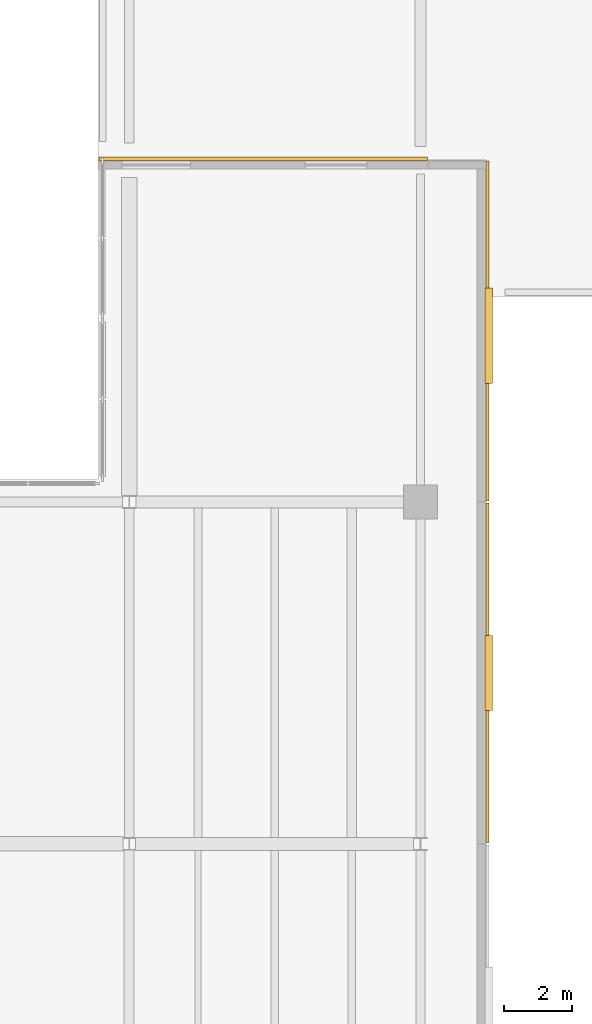
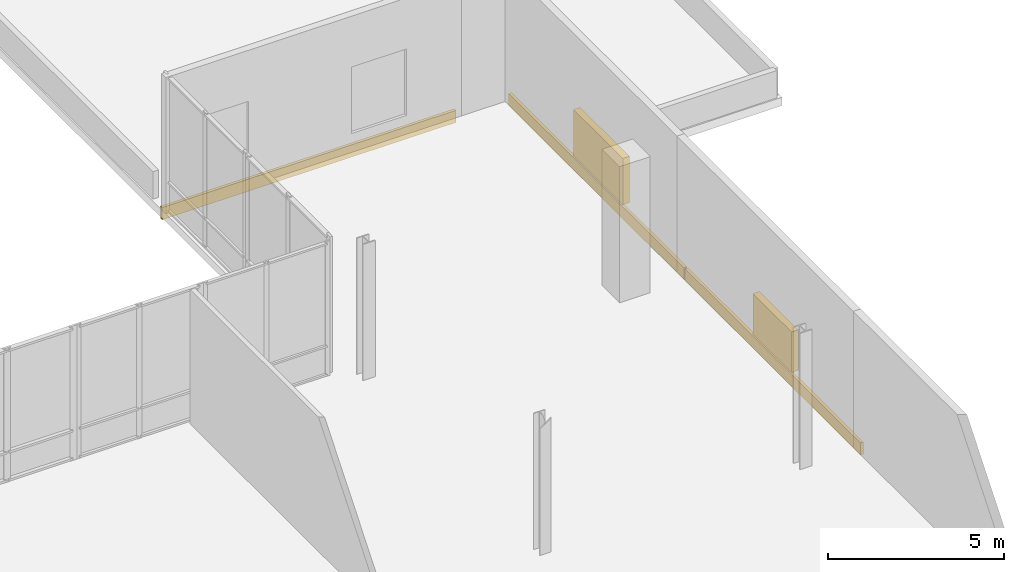
# One storey, part 60 of 60: 3 coverings, 2 shading devices.
"""IFC4 building model written with IfcOpenShell, lengths in metres."""

from ifc_helpers import new_model, si_unit, direction, frame, origin, origin_2d, place, context, subcontext, project, spatial, rectangle, extrude, material, layer, layer_set, type_object, element, save


model = new_model("IFC4")

# Units and contexts
model_context = context("Model", 3, precision=1e-05, world=origin(), true_north=direction((0.0, 1.0)))
body_context = subcontext(model_context, "Body", "Model", "MODEL_VIEW")
ifc_project = project(units=[si_unit("LENGTHUNIT", "METRE"), si_unit("AREAUNIT", "SQUARE_METRE"), si_unit("VOLUMEUNIT", "CUBIC_METRE"), si_unit("PLANEANGLEUNIT", "RADIAN"), si_unit("MASSUNIT", "GRAM", prefix="KILO")], contexts=[model_context])

# Site, building, storey
site_placement = place(None, origin())
site = spatial("IfcSite", under=ifc_project, at=site_placement, CompositionType="ELEMENT")
building_placement = place(site_placement, origin())
building = spatial("IfcBuilding", under=site, at=building_placement, Name="Trimount Lyric Opera House", CompositionType="ELEMENT")
storey_placement = place(building_placement, frame((0.0, 0.0, 15.0)))
storey = spatial("IfcBuildingStorey", under=building, at=storey_placement, Name="L03", CompositionType="ELEMENT", Elevation=15.0)

# Coverings
ifc_material_1 = material(Name="Architectural Precast Concrete Spandrel Band", Category="concrete")
ifc_layer = layer(ifc_material_1, 0.094970703125)
ifc_layer_set = layer_set([ifc_layer], Name="CLD-WING1")
covering_type = type_object("IfcCoveringType", Name="CLD-WING1", PredefinedType="CLADDING", material=ifc_layer_set)
covering_placement = place(storey_placement, frame((152.159912109375, 84.04150390625, -0.369873046875), z_axis=(0.0, 0.0, 1.0), x_axis=(1.0, 0.0, 0.0)))
element("IfcCovering", 1, at=covering_placement, inside=storey, type_object=covering_type, Name="L03 precast slab-edge spandrel 268", PredefinedType="CLADDING", context=body_context, shape_type="SweptSolid", body=[
    extrude(rectangle(XDim=9.6201171875, YDim=0.094970703125, at=origin_2d()), origin(), (0.0, 0.0, 1.0), 0.419921875),
])
for number, where, z_axis, x_axis, name in (
    (2, (158.721435546875, 79.0, -0.369873046875), (0.0, 0.0, 1.0), (0.0, -1.0, 0.0), "L03 precast slab-edge spandrel 270"),
    (3, (158.721435546875, 69.0, -0.369873046875), (0.0, 0.0, 1.0), (0.0, -1.0, 0.0), "L03 precast slab-edge spandrel 271"),
):
    element("IfcCovering", number, at=place(storey_placement, frame(where, z_axis=z_axis, x_axis=x_axis)), inside=storey, type_object=covering_type, Name=name, PredefinedType="CLADDING", context=body_context, shape_type="SweptSolid", body=[
        extrude(rectangle(XDim=9.93994140625, YDim=0.094970703125, at=origin_2d()), origin(), (0.0, 0.0, 1.0), 0.419921875),
    ])

# Shading devices
ifc_material_2 = material(Name="Anodised Bronze Acoustic Weather Louvre")
shading_device_type_1 = type_object("IfcShadingDeviceType", Name="SHD-LVR1", PredefinedType="JALOUSIE", material=ifc_material_2)
shading_device_1_placement = place(storey_placement, frame((158.761962890625, 78.867431640625, 0.14990234375), z_axis=(0.0, 0.0, 1.0), x_axis=(1.0, 0.0, 0.0)))
element("IfcShadingDevice", 4, at=shading_device_1_placement, inside=storey, type_object=shading_device_type_1, Name="Acoustic plant intake louvre 01", PredefinedType="JALOUSIE", context=body_context, shape_type="SweptSolid", body=[
    extrude(rectangle(XDim=0.219970703125, YDim=2.800048828125, at=origin_2d()), origin(), (0.0, 0.0, 1.0), 1.60009765625),
])
ifc_material_3 = material(Name="Anodised Bronze Acoustic Weather Louvre")
shading_device_type_2 = type_object("IfcShadingDeviceType", Name="SHD-LVR2", PredefinedType="JALOUSIE", material=ifc_material_3)
shading_device_2_placement = place(storey_placement, frame((158.761962890625, 69.0, 0.150146484375), z_axis=(0.0, 0.0, 1.0), x_axis=(1.0, 0.0, 0.0)))
element("IfcShadingDevice", 5, at=shading_device_2_placement, inside=storey, type_object=shading_device_type_2, Name="Acoustic plant intake louvre 02", PredefinedType="JALOUSIE", context=body_context, shape_type="SweptSolid", body=[
    extrude(rectangle(XDim=0.219970703125, YDim=2.199951171875, at=origin_2d()), origin(), (0.0, 0.0, 1.0), 1.39990234375),
])

save(model, "model.ifc")
